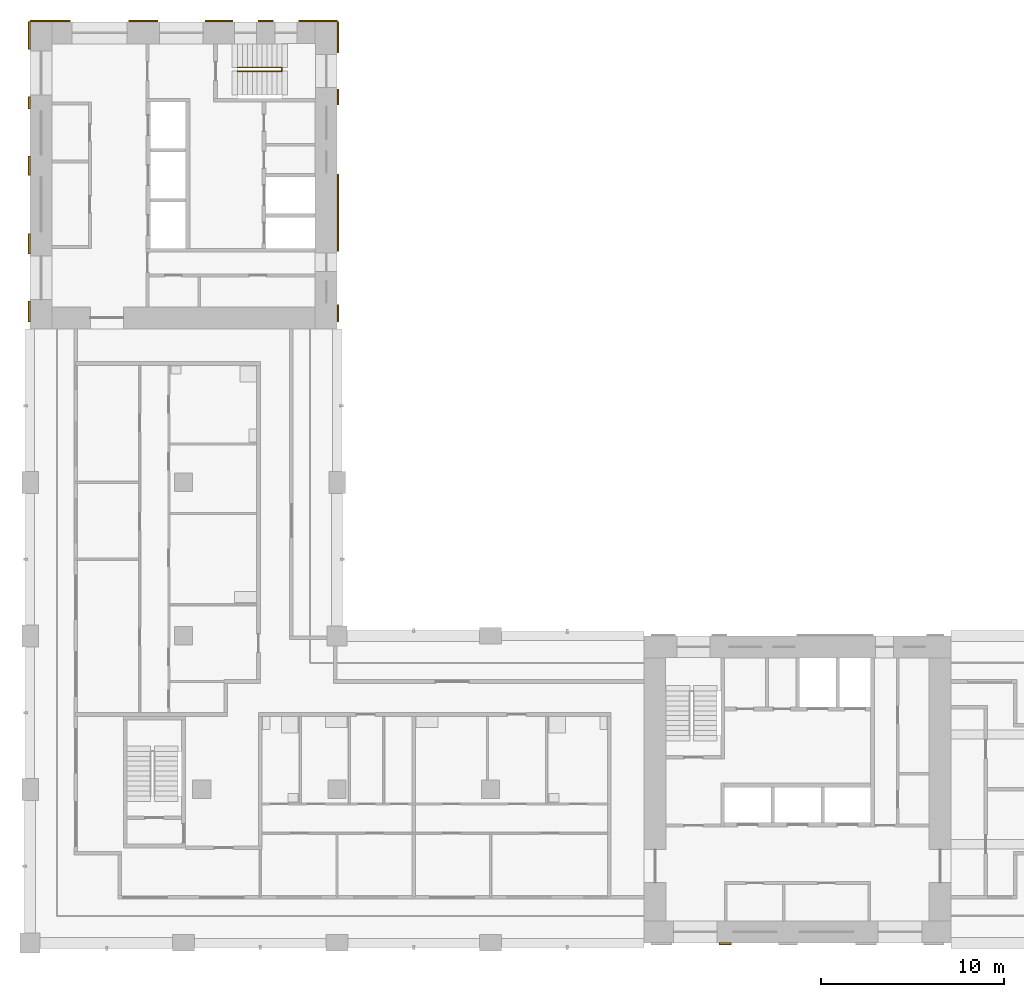
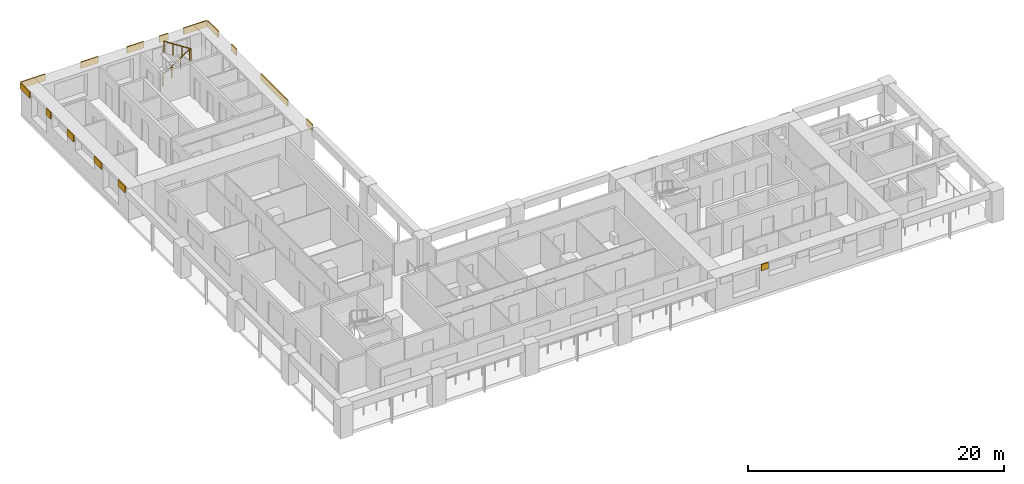
# One storey, part 10 of 11: 15 shading devices, 1 railing.
"""IFC4 building model written with IfcOpenShell, lengths in metres."""

from ifc_helpers import new_model, si_unit, direction, frame, origin, origin_2d, place, context, subcontext, project, spatial, rectangle, circle, extrude, material, layer, layer_set, type_object, element, save


model = new_model("IFC4")

# Units and contexts
model_context = context("Model", 3, precision=1e-05, world=origin(), true_north=direction((0.0, 1.0)))
body_context = subcontext(model_context, "Body", "Model", "MODEL_VIEW")
ifc_project = project(units=[si_unit("LENGTHUNIT", "METRE"), si_unit("AREAUNIT", "SQUARE_METRE"), si_unit("VOLUMEUNIT", "CUBIC_METRE"), si_unit("PLANEANGLEUNIT", "RADIAN"), si_unit("MASSUNIT", "GRAM", prefix="KILO")], contexts=[model_context])

# Site, building, storey
site_placement = place(None, origin())
site = spatial("IfcSite", under=ifc_project, at=site_placement, CompositionType="ELEMENT")
building_placement = place(site_placement, origin())
building = spatial("IfcBuilding", under=site, at=building_placement, Name="Vermilion Gate Residences", CompositionType="ELEMENT")
storey_placement = place(building_placement, frame((0.0, 0.0, 203.699951171875)))
storey = spatial("IfcBuildingStorey", under=building, at=storey_placement, Name="L53", CompositionType="ELEMENT", Elevation=203.699951171875)

# Railing
ifc_material_1 = material(Name="Steel S355", Category="steel")
railing_type = type_object("IfcRailingType", Name="STAIR GUARD 1100 STEEL", PredefinedType="GUARDRAIL", material=ifc_material_1)
railing_placement = place(storey_placement, frame((19.75, 56.300048828125, 0.175048828125)))
element("IfcRailing", 1, at=railing_placement, inside=storey, type_object=railing_type, Name="Stair well guard STB1-53", PredefinedType="GUARDRAIL", context=body_context, shape_type="SweptSolid", body=[
    extrude(circle(Radius=0.02392578125, at=origin_2d()), frame((0.0, 0.0, 1.076171875), z_axis=(0.839153699163, 0.0, 0.543894354798), x_axis=(0.0, 1.0, 0.0)), (0.0, 0.0, 1.0), 2.895751953125),
    extrude(circle(Radius=0.02392578125, at=origin_2d()), frame((2.429931640625, 0.0, 2.65087890625), z_axis=(0.0, -0.752405939678, 0.658699705433), x_axis=(1.0, 0.0, 0.0)), (0.0, 0.0, 1.0), 0.265869140625),
    extrude(circle(Radius=0.02392578125, at=origin_2d()), frame((2.429931640625, -0.199951171875, 2.826171875), z_axis=(-0.839153699163, 0.0, 0.543894354798), x_axis=(0.0, -1.0, 0.0)), (0.0, 0.0, 1.0), 2.895751953125),
    extrude(circle(Radius=0.02099609375, at=origin_2d()), origin(), (0.0, 0.0, 1.0), 1.052001953125),
    extrude(circle(Radius=0.02099609375, at=origin_2d()), frame((0.81005859375, 0.0, 0.52490234375)), (0.0, 0.0, 1.0), 1.052001953125),
    extrude(circle(Radius=0.02099609375, at=origin_2d()), frame((1.619873046875, 0.0, 1.050048828125)), (0.0, 0.0, 1.0), 1.052001953125),
    extrude(circle(Radius=0.02099609375, at=origin_2d()), frame((2.429931640625, 0.0, 1.574951171875)), (0.0, 0.0, 1.0), 1.052001953125),
    extrude(circle(Radius=0.02099609375, at=origin_2d()), frame((2.429931640625, -0.199951171875, 1.75)), (0.0, 0.0, 1.0), 1.052001953125),
    extrude(circle(Radius=0.02099609375, at=origin_2d()), frame((1.619873046875, -0.199951171875, 2.27490234375)), (0.0, 0.0, 1.0), 1.052001953125),
    extrude(circle(Radius=0.02099609375, at=origin_2d()), frame((0.81005859375, -0.199951171875, 2.800048828125)), (0.0, 0.0, 1.0), 1.052001953125),
    extrude(circle(Radius=0.02099609375, at=origin_2d()), frame((0.0, -0.199951171875, 3.324951171875)), (0.0, 0.0, 1.0), 1.052001953125),
])

# Shading devices
ifc_material_2 = material(Name="Extruded terracotta", Category="masonry")
ifc_layer = layer(ifc_material_2, 0.10009765625)
ifc_layer_set = layer_set([ifc_layer], Name="TERRACOTTA SPANDREL BAND 600 X 100")
shading_device_type = type_object("IfcShadingDeviceType", Name="TERRACOTTA SPANDREL BAND 600 X 100", PredefinedType="USERDEFINED", material=ifc_layer_set)
shading_device_1_placement = place(storey_placement, frame((46.429931640625, 8.35009765625, 2.39990234375), z_axis=(0.0, 0.0, 1.0), x_axis=(1.0, 0.0, 0.0)))
element("IfcShadingDevice", 2, at=shading_device_1_placement, inside=storey, type_object=shading_device_type, Name="SPANDREL BAND", ObjectType="BAND", PredefinedType="USERDEFINED", context=body_context, shape_type="SweptSolid", body=[
    extrude(rectangle(XDim=0.659912109375, YDim=0.10009765625, at=origin_2d()), origin(), (0.0, 0.0, 1.0), 0.60009765625),
])
shading_device_2_placement = place(storey_placement, frame((9.50244140625, 58.85009765625, 2.39990234375), z_axis=(0.0, 0.0, 1.0), x_axis=(1.0, 0.0, 0.0)))
element("IfcShadingDevice", 3, at=shading_device_2_placement, inside=storey, type_object=shading_device_type, Name="SPANDREL BAND", ObjectType="BAND", PredefinedType="USERDEFINED", context=body_context, shape_type="SweptSolid", body=[
    extrude(rectangle(XDim=2.205078125, YDim=0.10009765625, at=origin_2d()), origin(), (0.0, 0.0, 1.0), 0.60009765625),
])
shading_device_3_placement = place(storey_placement, frame((14.590087890625, 58.85009765625, 2.39990234375), z_axis=(0.0, 0.0, 1.0), x_axis=(1.0, 0.0, 0.0)))
element("IfcShadingDevice", 4, at=shading_device_3_placement, inside=storey, type_object=shading_device_type, Name="SPANDREL BAND", ObjectType="BAND", PredefinedType="USERDEFINED", context=body_context, shape_type="SweptSolid", body=[
    extrude(rectangle(XDim=1.570068359375, YDim=0.10009765625, at=origin_2d()), origin(), (0.0, 0.0, 1.0), 0.60009765625),
])
shading_device_4_placement = place(storey_placement, frame((18.734130859375, 58.85009765625, 2.39990234375), z_axis=(0.0, 0.0, 1.0), x_axis=(1.0, 0.0, 0.0)))
element("IfcShadingDevice", 5, at=shading_device_4_placement, inside=storey, type_object=shading_device_type, Name="SPANDREL BAND", ObjectType="BAND", PredefinedType="USERDEFINED", context=body_context, shape_type="SweptSolid", body=[
    extrude(rectangle(XDim=1.518310546875, YDim=0.10009765625, at=origin_2d()), origin(), (0.0, 0.0, 1.0), 0.60009765625),
])
shading_device_5_placement = place(storey_placement, frame((21.294921875, 58.85009765625, 2.39990234375), z_axis=(0.0, 0.0, 1.0), x_axis=(1.0, 0.0, 0.0)))
element("IfcShadingDevice", 6, at=shading_device_5_placement, inside=storey, type_object=shading_device_type, Name="SPANDREL BAND", ObjectType="BAND", PredefinedType="USERDEFINED", context=body_context, shape_type="SweptSolid", body=[
    extrude(rectangle(XDim=0.803466796875, YDim=0.10009765625, at=origin_2d()), origin(), (0.0, 0.0, 1.0), 0.60009765625),
])
shading_device_6_placement = place(storey_placement, frame((24.1484375, 58.85009765625, 2.39990234375), z_axis=(0.0, 0.0, 1.0), x_axis=(1.0, 0.0, 0.0)))
element("IfcShadingDevice", 7, at=shading_device_6_placement, inside=storey, type_object=shading_device_type, Name="SPANDREL BAND", ObjectType="BAND", PredefinedType="USERDEFINED", context=body_context, shape_type="SweptSolid", body=[
    extrude(rectangle(XDim=2.103271484375, YDim=0.10009765625, at=origin_2d()), origin(), (0.0, 0.0, 1.0), 0.60009765625),
])
shading_device_7_placement = place(storey_placement, frame((8.35009765625, 42.949951171875, 2.39990234375), z_axis=(0.0, 0.0, 1.0), x_axis=(0.0, 1.0, 0.0)))
element("IfcShadingDevice", 8, at=shading_device_7_placement, inside=storey, type_object=shading_device_type, Name="SPANDREL BAND", ObjectType="BAND", PredefinedType="USERDEFINED", context=body_context, shape_type="SweptSolid", body=[
    extrude(rectangle(XDim=1.10009765625, YDim=0.10009765625, at=origin_2d()), origin(), (0.0, 0.0, 1.0), 0.60009765625),
])
shading_device_8_placement = place(storey_placement, frame((8.35009765625, 46.657470703125, 2.39990234375), z_axis=(0.0, 0.0, 1.0), x_axis=(0.0, 1.0, 0.0)))
element("IfcShadingDevice", 9, at=shading_device_8_placement, inside=storey, type_object=shading_device_type, Name="SPANDREL BAND", ObjectType="BAND", PredefinedType="USERDEFINED", context=body_context, shape_type="SweptSolid", body=[
    extrude(rectangle(XDim=1.114990234375, YDim=0.10009765625, at=origin_2d()), origin(), (0.0, 0.0, 1.0), 0.60009765625),
])
shading_device_9_placement = place(storey_placement, frame((8.35009765625, 50.927490234375, 2.39990234375), z_axis=(0.0, 0.0, 1.0), x_axis=(0.0, 1.0, 0.0)))
element("IfcShadingDevice", 10, at=shading_device_9_placement, inside=storey, type_object=shading_device_type, Name="SPANDREL BAND", ObjectType="BAND", PredefinedType="USERDEFINED", context=body_context, shape_type="SweptSolid", body=[
    extrude(rectangle(XDim=1.02490234375, YDim=0.10009765625, at=origin_2d()), origin(), (0.0, 0.0, 1.0), 0.60009765625),
])
shading_device_10_placement = place(storey_placement, frame((8.35009765625, 54.3701171875, 2.39990234375), z_axis=(0.0, 0.0, 1.0), x_axis=(0.0, 1.0, 0.0)))
element("IfcShadingDevice", 11, at=shading_device_10_placement, inside=storey, type_object=shading_device_type, Name="SPANDREL BAND", ObjectType="BAND", PredefinedType="USERDEFINED", context=body_context, shape_type="SweptSolid", body=[
    extrude(rectangle(XDim=0.659912109375, YDim=0.10009765625, at=origin_2d()), origin(), (0.0, 0.0, 1.0), 0.60009765625),
])
shading_device_11_placement = place(storey_placement, frame((8.35009765625, 58.050048828125, 2.39990234375), z_axis=(0.0, 0.0, 1.0), x_axis=(0.0, 1.0, 0.0)))
element("IfcShadingDevice", 12, at=shading_device_11_placement, inside=storey, type_object=shading_device_type, Name="SPANDREL BAND", ObjectType="BAND", PredefinedType="USERDEFINED", context=body_context, shape_type="SweptSolid", body=[
    extrude(rectangle(XDim=1.5, YDim=0.10009765625, at=origin_2d()), origin(), (0.0, 0.0, 1.0), 0.60009765625),
])
shading_device_12_placement = place(storey_placement, frame((25.25, 42.862548828125, 2.39990234375), z_axis=(0.0, 0.0, 1.0), x_axis=(0.0, 1.0, 0.0)))
element("IfcShadingDevice", 13, at=shading_device_12_placement, inside=storey, type_object=shading_device_type, Name="SPANDREL BAND", ObjectType="BAND", PredefinedType="USERDEFINED", context=body_context, shape_type="SweptSolid", body=[
    extrude(rectangle(XDim=0.925048828125, YDim=0.10009765625, at=origin_2d()), origin(), (0.0, 0.0, 1.0), 0.60009765625),
])
shading_device_13_placement = place(storey_placement, frame((25.25, 48.35009765625, 2.39990234375), z_axis=(0.0, 0.0, 1.0), x_axis=(0.0, 1.0, 0.0)))
element("IfcShadingDevice", 14, at=shading_device_13_placement, inside=storey, type_object=shading_device_type, Name="SPANDREL BAND", ObjectType="BAND", PredefinedType="USERDEFINED", context=body_context, shape_type="SweptSolid", body=[
    extrude(rectangle(XDim=4.199951171875, YDim=0.10009765625, at=origin_2d()), origin(), (0.0, 0.0, 1.0), 0.60009765625),
])
shading_device_14_placement = place(storey_placement, frame((25.25, 54.6875, 2.39990234375), z_axis=(0.0, 0.0, 1.0), x_axis=(0.0, 1.0, 0.0)))
element("IfcShadingDevice", 15, at=shading_device_14_placement, inside=storey, type_object=shading_device_type, Name="SPANDREL BAND", ObjectType="BAND", PredefinedType="USERDEFINED", context=body_context, shape_type="SweptSolid", body=[
    extrude(rectangle(XDim=0.824951171875, YDim=0.10009765625, at=origin_2d()), origin(), (0.0, 0.0, 1.0), 0.60009765625),
])
shading_device_15_placement = place(storey_placement, frame((25.25, 57.949951171875, 2.39990234375), z_axis=(0.0, 0.0, 1.0), x_axis=(0.0, 1.0, 0.0)))
element("IfcShadingDevice", 16, at=shading_device_15_placement, inside=storey, type_object=shading_device_type, Name="SPANDREL BAND", ObjectType="BAND", PredefinedType="USERDEFINED", context=body_context, shape_type="SweptSolid", body=[
    extrude(rectangle(XDim=1.699951171875, YDim=0.10009765625, at=origin_2d()), origin(), (0.0, 0.0, 1.0), 0.60009765625),
])

save(model, "model.ifc")
